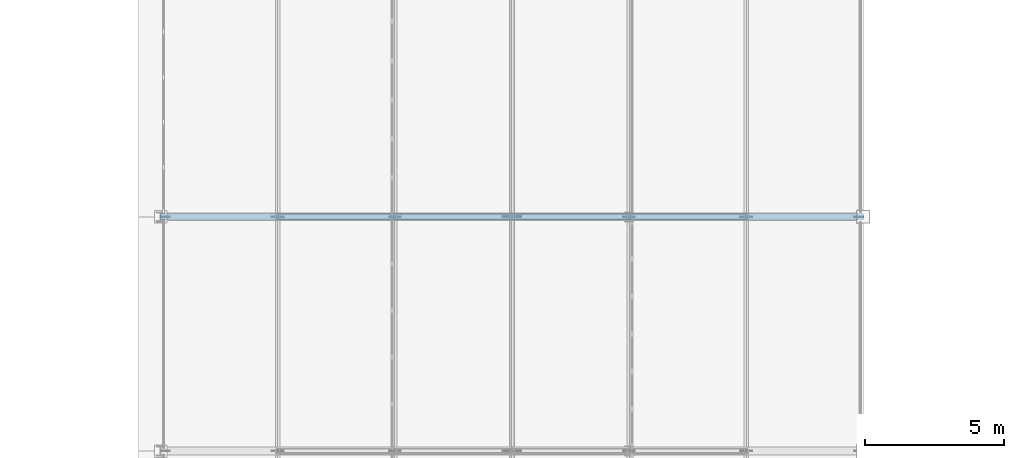
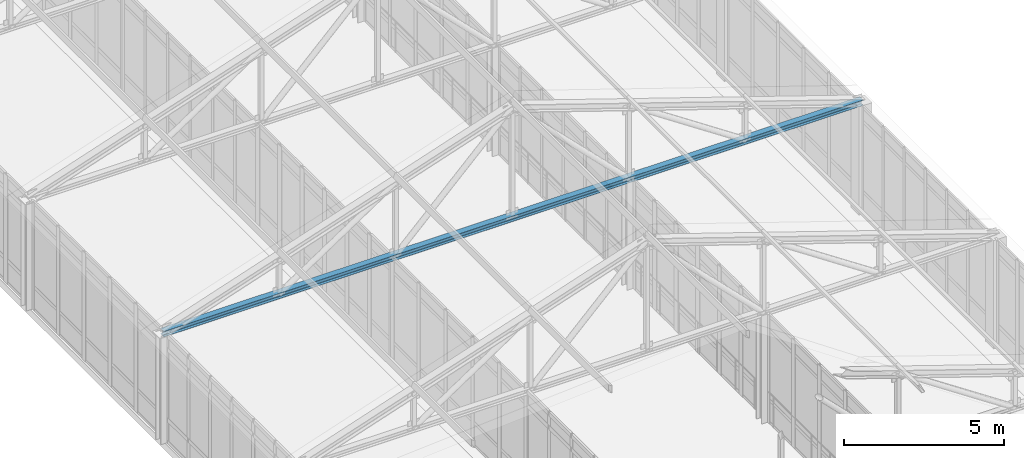
# One storey, part 51 of 192: 1 member.
"""IFC4 building model written with IfcOpenShell, lengths in metres."""

from ifc_helpers import new_model, si_unit, direction, frame, origin, origin_2d, place, context, subcontext, project, spatial, i_section, extrude, material, material_profile, profile_set, type_object, element, save


model = new_model("IFC4")

# Units and contexts
model_context = context("Model", 3, precision=1e-05, world=origin(), true_north=direction((0.0, 1.0)))
body_context = subcontext(model_context, "Body", "Model", "MODEL_VIEW")
ifc_project = project(units=[si_unit("LENGTHUNIT", "METRE"), si_unit("AREAUNIT", "SQUARE_METRE"), si_unit("VOLUMEUNIT", "CUBIC_METRE"), si_unit("PLANEANGLEUNIT", "RADIAN"), si_unit("MASSUNIT", "GRAM", prefix="KILO")], contexts=[model_context])

# Site, building, storey
site_placement = place(None, origin())
site = spatial("IfcSite", under=ifc_project, at=site_placement, CompositionType="ELEMENT")
building_placement = place(site_placement, origin())
building = spatial("IfcBuilding", under=site, at=building_placement, Name="Kveldsbrygga Polytechnic", CompositionType="ELEMENT")
storey_placement = place(building_placement, frame((0.0, 0.0, 5.43994140625)))
storey = spatial("IfcBuildingStorey", under=building, at=storey_placement, Name="L01", CompositionType="ELEMENT", Elevation=5.43994140625)

# Member
ifc_material = material(Name="Steel S355", Category="steel")
ifc_material_profile = material_profile(ifc_material, i_section(OverallWidth=0.219970703125, OverallDepth=0.2099609375, WebThickness=0.007080078125, FlangeThickness=0.010986328125, FilletRadius=0.01806640625, at=origin_2d()), Name="HEA 220")
ifc_profile_set = profile_set([ifc_material_profile], Name="Steel S355")
member_type = type_object("IfcMemberType", Name="TR-BOT-HEA220", PredefinedType="CHORD", material=ifc_profile_set)
member_placement = place(storey_placement, frame((50.39990234375, 50.39990234375, 4.1201171875), z_axis=(1.0, 0.0, 0.0), x_axis=(0.0, 1.0, 0.0)))
element("IfcMember", 1, at=member_placement, inside=storey, type_object=member_type, Name="Truss Bottom Chord V5C-T06-BC-1", PredefinedType="CHORD", context=body_context, shape_type="SweptSolid", body=[
    extrude(i_section(OverallWidth=0.219970703125, OverallDepth=0.2099609375, WebThickness=0.007080078125, FlangeThickness=0.010986328125, FilletRadius=0.01806640625, at=origin_2d()), origin(), (0.0, 0.0, 1.0), 25.2001953125),
])

save(model, "model.ifc")
